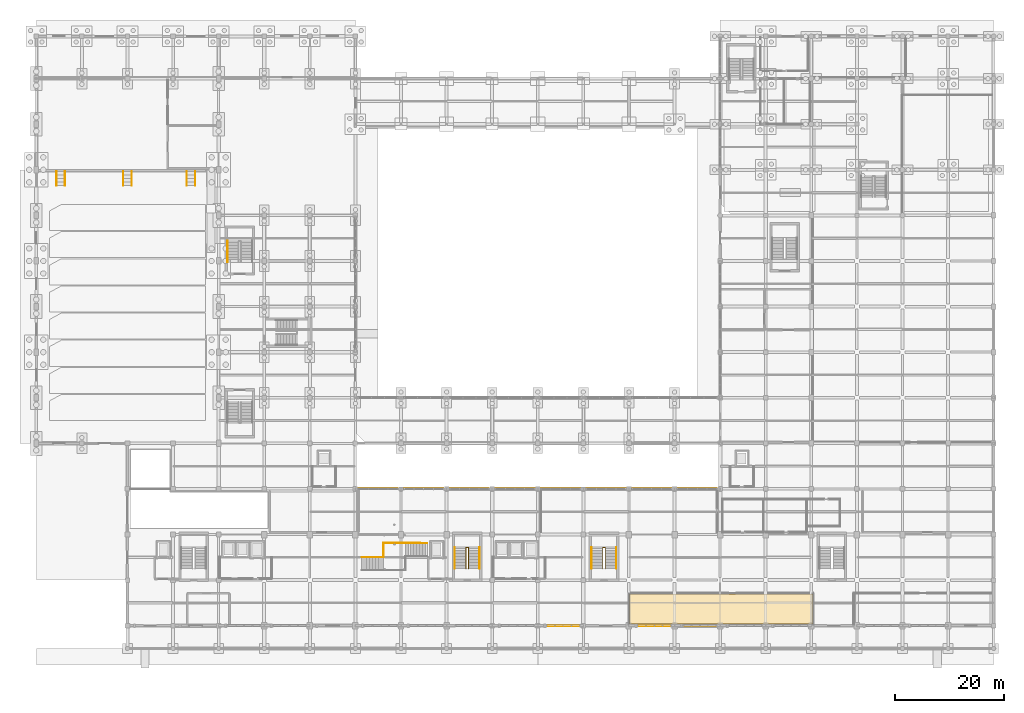
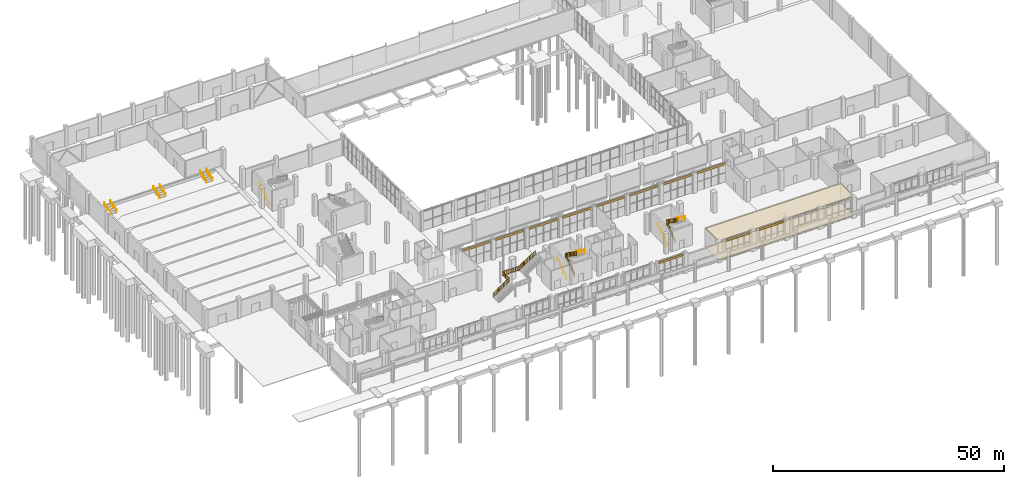
# One storey, part 79 of 82: 14 railings, 8 shading devices, 5 coverings.
"""IFC4 building model written with IfcOpenShell, lengths in metres."""

from ifc_helpers import new_model, si_unit, derived_unit, direction, frame, origin, origin_2d, place, context, subcontext, project, spatial, polyline, rectangle, circle, outline, extrude, material, layer, layer_set, type_object, element, save


model = new_model("IFC4")

# Units and contexts
model_context = context("Model", 3, precision=1e-05, world=origin(), true_north=direction((0.0, 1.0)))
body_context = subcontext(model_context, "Body", "Model", "MODEL_VIEW")
ifc_project = project(units=[si_unit("LENGTHUNIT", "METRE"), si_unit("AREAUNIT", "SQUARE_METRE"), si_unit("VOLUMEUNIT", "CUBIC_METRE"), si_unit("PLANEANGLEUNIT", "RADIAN"), si_unit("MASSUNIT", "GRAM", prefix="KILO"), derived_unit("THERMALTRANSMITTANCEUNIT", [(si_unit("POWERUNIT", "WATT"), 1), (si_unit("LENGTHUNIT", "METRE"), -2), (si_unit("THERMODYNAMICTEMPERATUREUNIT", "KELVIN"), -1)])], contexts=[model_context])

# Site, building, storey
site_placement = place(None, origin())
site = spatial("IfcSite", under=ifc_project, at=site_placement, CompositionType="ELEMENT")
building_placement = place(site_placement, origin())
building = spatial("IfcBuilding", under=site, at=building_placement, Name="Barrovel Congress Hotel", CompositionType="ELEMENT")
storey_placement = place(building_placement, origin())
storey = spatial("IfcBuildingStorey", under=building, at=storey_placement, Name="L00", CompositionType="ELEMENT", Elevation=0.0)

# Coverings
ifc_material_1 = material(Name="Perforated Timber Acoustic Ceiling", Category="wood")
ifc_layer_1 = layer(ifc_material_1, 0.030029296875)
ifc_layer_set_1 = layer_set([ifc_layer_1], Name="Perforated Timber Acoustic Ceiling")
covering_type_1 = type_object("IfcCoveringType", Name="COV-CEIL-ACU", PredefinedType="CEILING", material=ifc_layer_set_1)
covering_1_placement = place(storey_placement, frame((0.0, 0.0, 5.044921875)))
element("IfcCovering", 1, at=covering_1_placement, inside=storey, type_object=covering_type_1, Name="CEIL:02", PredefinedType="CEILING", context=body_context, shape_type="SweptSolid", body=[
    extrude(outline(polyline([(109.320068359375, 4.52001953125), (143.080078125, 4.52001953125), (143.080078125, 10.080078125), (109.320068359375, 10.080078125), (109.320068359375, 4.52001953125)])), origin(), (0.0, 0.0, 1.0), 0.030029296875),
])
ifc_material_2 = material(Name="Glazed Terracotta Spandrel", Category="masonry")
ifc_layer_2 = layer(ifc_material_2, 0.1201171875)
ifc_layer_set_2 = layer_set([ifc_layer_2], Name="Glazed Terracotta Spandrel")
covering_type_2 = type_object("IfcCoveringType", Name="COV-CLAD-TERRA", PredefinedType="CLADDING", material=ifc_layer_set_2)
for number, where, z_axis, x_axis, name in (
    (2, (97.080078125, 4.14990234375, 4.610107421875), (0.0, 0.0, 1.0), (1.0, 0.0, 0.0), "CLAD:L00:S:11"),
    (3, (113.8798828125, 4.14990234375, 4.610107421875), (0.0, 0.0, 1.0), (1.0, 0.0, 0.0), "CLAD:L00:S:13"),
    (4, (122.280029296875, 4.14990234375, 4.610107421875), (0.0, 0.0, 1.0), (1.0, 0.0, 0.0), "CLAD:L00:S:14"),
):
    element("IfcCovering", number, at=place(storey_placement, frame(where, z_axis=z_axis, x_axis=x_axis)), inside=storey, type_object=covering_type_2, Name=name, PredefinedType="CLADDING", context=body_context, shape_type="SweptSolid", body=[
        extrude(rectangle(XDim=6.1201171875, YDim=0.1201171875, at=origin_2d()), origin(), (0.0, 0.0, 1.0), 0.52001953125),
    ])
ifc_material_3 = material(Name="Polished Monterrey Limestone Terrazzo", Category="masonry")
ifc_layer_3 = layer(ifc_material_3, 0.030029296875)
ifc_layer_set_3 = layer_set([ifc_layer_3], Name="Polished Monterrey Limestone Terrazzo")
covering_type_3 = type_object("IfcCoveringType", Name="COV-FLOR-TRZ", PredefinedType="FLOORING", material=ifc_layer_set_3)
covering_2_placement = place(storey_placement, origin())
element("IfcCovering", 5, at=covering_2_placement, inside=storey, type_object=covering_type_3, Name="FLOR:02", PredefinedType="FLOORING", context=body_context, shape_type="SweptSolid", body=[
    extrude(outline(polyline([(109.320068359375, 4.52001953125), (143.080078125, 4.52001953125), (143.080078125, 10.080078125), (109.320068359375, 10.080078125), (109.320068359375, 4.52001953125)])), origin(), (0.0, 0.0, 1.0), 0.030029296875),
])

# Railings
ifc_material_4 = material(Name="Painted Architectural Steel", Category="steel")
ifc_layer_4 = layer(ifc_material_4, 0.070068359375)
ifc_layer_set_4 = layer_set([ifc_layer_4], Name="Painted Architectural Steel")
railing_type_1 = type_object("IfcRailingType", Name="RAIL-GUARD-INT", PredefinedType="BALUSTRADE", material=ifc_layer_set_4)
railing_1_placement = place(storey_placement, frame((79.159912109375, 14.739990234375, 0.0)))
element("IfcRailing", 6, at=railing_1_placement, inside=storey, type_object=railing_type_1, Name="STAIR:XS-02:L00:GR-W", PredefinedType="BALUSTRADE", context=body_context, shape_type="SweptSolid", body=[
    extrude(circle(Radius=0.02392578125, at=origin_2d()), frame((0.0, 0.0, 1.11572265625), z_axis=(0.0, 0.821504814544, 0.570201578111), x_axis=(-1.0, 0.0, 0.0)), (0.0, 0.0, 1.0), 4.735107421875),
    extrude(circle(Radius=0.02392578125, at=origin_2d()), frame((0.0, 0.0, 0.10009765625), z_axis=(0.0, 0.821504814544, 0.570201578111), x_axis=(-1.0, 0.0, 0.0)), (0.0, 0.0, 1.0), 4.735107421875),
    extrude(circle(Radius=0.010009765625, at=origin_2d()), frame((0.0, 0.353515625, 0.345458984375)), (0.0, 0.0, 1.0), 0.99169921875),
    extrude(circle(Radius=0.010009765625, at=origin_2d()), frame((0.0, 0.707275390625, 0.5908203125)), (0.0, 0.0, 1.0), 0.99169921875),
    extrude(circle(Radius=0.010009765625, at=origin_2d()), frame((0.0, 1.060791015625, 0.83642578125)), (0.0, 0.0, 1.0), 0.99169921875),
    extrude(circle(Radius=0.010009765625, at=origin_2d()), frame((0.0, 1.41455078125, 1.081787109375)), (0.0, 0.0, 1.0), 0.99169921875),
    extrude(circle(Radius=0.010009765625, at=origin_2d()), frame((0.0, 1.76806640625, 1.3271484375)), (0.0, 0.0, 1.0), 0.99169921875),
    extrude(circle(Radius=0.010009765625, at=origin_2d()), frame((0.0, 2.121826171875, 1.57275390625)), (0.0, 0.0, 1.0), 0.99169921875),
    extrude(circle(Radius=0.010009765625, at=origin_2d()), frame((0.0, 2.475341796875, 1.818115234375)), (0.0, 0.0, 1.0), 0.99169921875),
    extrude(circle(Radius=0.010009765625, at=origin_2d()), frame((0.0, 2.8291015625, 2.063720703125)), (0.0, 0.0, 1.0), 0.99169921875),
    extrude(circle(Radius=0.010009765625, at=origin_2d()), frame((0.0, 3.1826171875, 2.30908203125)), (0.0, 0.0, 1.0), 0.99169921875),
    extrude(circle(Radius=0.010009765625, at=origin_2d()), frame((0.0, 3.536376953125, 2.554443359375)), (0.0, 0.0, 1.0), 0.99169921875),
    extrude(circle(Radius=0.02392578125, at=origin_2d()), frame((0.0, 3.889892578125, 3.81591796875), z_axis=(1.0, 0.0, 0.0), x_axis=(0.0, 1.0, 0.0)), (0.0, 0.0, 1.0), 0.47998046875),
    extrude(circle(Radius=0.02392578125, at=origin_2d()), frame((0.0, 3.889892578125, 2.800048828125), z_axis=(1.0, 0.0, 0.0), x_axis=(0.0, 1.0, 0.0)), (0.0, 0.0, 1.0), 0.47998046875),
    extrude(circle(Radius=0.010009765625, at=origin_2d()), frame((0.239990234375, 3.889892578125, 2.800048828125)), (0.0, 0.0, 1.0), 0.99169921875),
    extrude(circle(Radius=0.02392578125, at=origin_2d()), frame((0.47998046875, 3.889892578125, 3.81591796875), z_axis=(0.0, -0.821504814544, 0.570201578111), x_axis=(1.0, 0.0, 0.0)), (0.0, 0.0, 1.0), 4.735107421875),
    extrude(circle(Radius=0.02392578125, at=origin_2d()), frame((0.47998046875, 3.889892578125, 2.800048828125), z_axis=(0.0, -0.821504814544, 0.570201578111), x_axis=(1.0, 0.0, 0.0)), (0.0, 0.0, 1.0), 4.735107421875),
    extrude(circle(Radius=0.010009765625, at=origin_2d()), frame((0.47998046875, 3.536376953125, 3.04541015625)), (0.0, 0.0, 1.0), 0.99169921875),
    extrude(circle(Radius=0.010009765625, at=origin_2d()), frame((0.47998046875, 3.1826171875, 3.290771484375)), (0.0, 0.0, 1.0), 0.99169921875),
    extrude(circle(Radius=0.010009765625, at=origin_2d()), frame((0.47998046875, 2.8291015625, 3.536376953125)), (0.0, 0.0, 1.0), 0.99169921875),
    extrude(circle(Radius=0.010009765625, at=origin_2d()), frame((0.47998046875, 2.475341796875, 3.78173828125)), (0.0, 0.0, 1.0), 0.99169921875),
    extrude(circle(Radius=0.010009765625, at=origin_2d()), frame((0.47998046875, 2.121826171875, 4.027099609375)), (0.0, 0.0, 1.0), 0.99169921875),
    extrude(circle(Radius=0.010009765625, at=origin_2d()), frame((0.47998046875, 1.76806640625, 4.272705078125)), (0.0, 0.0, 1.0), 0.99169921875),
    extrude(circle(Radius=0.010009765625, at=origin_2d()), frame((0.47998046875, 1.41455078125, 4.51806640625)), (0.0, 0.0, 1.0), 0.99169921875),
    extrude(circle(Radius=0.010009765625, at=origin_2d()), frame((0.47998046875, 1.060791015625, 4.763671875)), (0.0, 0.0, 1.0), 0.99169921875),
    extrude(circle(Radius=0.010009765625, at=origin_2d()), frame((0.47998046875, 0.707275390625, 5.009033203125)), (0.0, 0.0, 1.0), 0.99169921875),
    extrude(circle(Radius=0.010009765625, at=origin_2d()), frame((0.47998046875, 0.353515625, 5.25439453125)), (0.0, 0.0, 1.0), 0.99169921875),
    extrude(circle(Radius=0.02099609375, at=origin_2d()), origin(), (0.0, 0.0, 1.0), 1.091796875),
    extrude(circle(Radius=0.02099609375, at=origin_2d()), frame((0.0, 1.296630859375, 0.89990234375)), (0.0, 0.0, 1.0), 1.091796875),
    extrude(circle(Radius=0.02099609375, at=origin_2d()), frame((0.0, 2.59326171875, 1.800048828125)), (0.0, 0.0, 1.0), 1.091796875),
    extrude(circle(Radius=0.02099609375, at=origin_2d()), frame((0.0, 3.889892578125, 2.699951171875)), (0.0, 0.0, 1.0), 1.091796875),
    extrude(circle(Radius=0.02099609375, at=origin_2d()), frame((0.47998046875, 3.889892578125, 2.699951171875)), (0.0, 0.0, 1.0), 1.091796875),
    extrude(circle(Radius=0.02099609375, at=origin_2d()), frame((0.47998046875, 2.59326171875, 3.599853515625)), (0.0, 0.0, 1.0), 1.091796875),
    extrude(circle(Radius=0.02099609375, at=origin_2d()), frame((0.47998046875, 1.296630859375, 4.5)), (0.0, 0.0, 1.0), 1.091796875),
    extrude(circle(Radius=0.02099609375, at=origin_2d()), frame((0.47998046875, 0.0, 5.39990234375)), (0.0, 0.0, 1.0), 1.091796875),
])
railing_2_placement = place(storey_placement, frame((104.360107421875, 14.739990234375, 0.0)))
element("IfcRailing", 7, at=railing_2_placement, inside=storey, type_object=railing_type_1, Name="STAIR:XS-03:L00:GR-W", PredefinedType="BALUSTRADE", context=body_context, shape_type="SweptSolid", body=[
    extrude(circle(Radius=0.02392578125, at=origin_2d()), frame((0.0, 0.0, 1.11572265625), z_axis=(0.0, 0.821504814544, 0.570201578111), x_axis=(-1.0, 0.0, 0.0)), (0.0, 0.0, 1.0), 4.735107421875),
    extrude(circle(Radius=0.02392578125, at=origin_2d()), frame((0.0, 0.0, 0.10009765625), z_axis=(0.0, 0.821504814544, 0.570201578111), x_axis=(-1.0, 0.0, 0.0)), (0.0, 0.0, 1.0), 4.735107421875),
    extrude(circle(Radius=0.010009765625, at=origin_2d()), frame((0.0, 0.353515625, 0.345458984375)), (0.0, 0.0, 1.0), 0.99169921875),
    extrude(circle(Radius=0.010009765625, at=origin_2d()), frame((0.0, 0.707275390625, 0.5908203125)), (0.0, 0.0, 1.0), 0.99169921875),
    extrude(circle(Radius=0.010009765625, at=origin_2d()), frame((0.0, 1.060791015625, 0.83642578125)), (0.0, 0.0, 1.0), 0.99169921875),
    extrude(circle(Radius=0.010009765625, at=origin_2d()), frame((0.0, 1.41455078125, 1.081787109375)), (0.0, 0.0, 1.0), 0.99169921875),
    extrude(circle(Radius=0.010009765625, at=origin_2d()), frame((0.0, 1.76806640625, 1.3271484375)), (0.0, 0.0, 1.0), 0.99169921875),
    extrude(circle(Radius=0.010009765625, at=origin_2d()), frame((0.0, 2.121826171875, 1.57275390625)), (0.0, 0.0, 1.0), 0.99169921875),
    extrude(circle(Radius=0.010009765625, at=origin_2d()), frame((0.0, 2.475341796875, 1.818115234375)), (0.0, 0.0, 1.0), 0.99169921875),
    extrude(circle(Radius=0.010009765625, at=origin_2d()), frame((0.0, 2.8291015625, 2.063720703125)), (0.0, 0.0, 1.0), 0.99169921875),
    extrude(circle(Radius=0.010009765625, at=origin_2d()), frame((0.0, 3.1826171875, 2.30908203125)), (0.0, 0.0, 1.0), 0.99169921875),
    extrude(circle(Radius=0.010009765625, at=origin_2d()), frame((0.0, 3.536376953125, 2.554443359375)), (0.0, 0.0, 1.0), 0.99169921875),
    extrude(circle(Radius=0.02392578125, at=origin_2d()), frame((0.0, 3.889892578125, 3.81591796875), z_axis=(1.0, 0.0, 0.0), x_axis=(0.0, 1.0, 0.0)), (0.0, 0.0, 1.0), 0.47998046875),
    extrude(circle(Radius=0.02392578125, at=origin_2d()), frame((0.0, 3.889892578125, 2.800048828125), z_axis=(1.0, 0.0, 0.0), x_axis=(0.0, 1.0, 0.0)), (0.0, 0.0, 1.0), 0.47998046875),
    extrude(circle(Radius=0.010009765625, at=origin_2d()), frame((0.239990234375, 3.889892578125, 2.800048828125)), (0.0, 0.0, 1.0), 0.99169921875),
    extrude(circle(Radius=0.02392578125, at=origin_2d()), frame((0.47998046875, 3.889892578125, 3.81591796875), z_axis=(0.0, -0.821504814544, 0.570201578111), x_axis=(1.0, 0.0, 0.0)), (0.0, 0.0, 1.0), 4.735107421875),
    extrude(circle(Radius=0.02392578125, at=origin_2d()), frame((0.47998046875, 3.889892578125, 2.800048828125), z_axis=(0.0, -0.821504814544, 0.570201578111), x_axis=(1.0, 0.0, 0.0)), (0.0, 0.0, 1.0), 4.735107421875),
    extrude(circle(Radius=0.010009765625, at=origin_2d()), frame((0.47998046875, 3.536376953125, 3.04541015625)), (0.0, 0.0, 1.0), 0.99169921875),
    extrude(circle(Radius=0.010009765625, at=origin_2d()), frame((0.47998046875, 3.1826171875, 3.290771484375)), (0.0, 0.0, 1.0), 0.99169921875),
    extrude(circle(Radius=0.010009765625, at=origin_2d()), frame((0.47998046875, 2.8291015625, 3.536376953125)), (0.0, 0.0, 1.0), 0.99169921875),
    extrude(circle(Radius=0.010009765625, at=origin_2d()), frame((0.47998046875, 2.475341796875, 3.78173828125)), (0.0, 0.0, 1.0), 0.99169921875),
    extrude(circle(Radius=0.010009765625, at=origin_2d()), frame((0.47998046875, 2.121826171875, 4.027099609375)), (0.0, 0.0, 1.0), 0.99169921875),
    extrude(circle(Radius=0.010009765625, at=origin_2d()), frame((0.47998046875, 1.76806640625, 4.272705078125)), (0.0, 0.0, 1.0), 0.99169921875),
    extrude(circle(Radius=0.010009765625, at=origin_2d()), frame((0.47998046875, 1.41455078125, 4.51806640625)), (0.0, 0.0, 1.0), 0.99169921875),
    extrude(circle(Radius=0.010009765625, at=origin_2d()), frame((0.47998046875, 1.060791015625, 4.763671875)), (0.0, 0.0, 1.0), 0.99169921875),
    extrude(circle(Radius=0.010009765625, at=origin_2d()), frame((0.47998046875, 0.707275390625, 5.009033203125)), (0.0, 0.0, 1.0), 0.99169921875),
    extrude(circle(Radius=0.010009765625, at=origin_2d()), frame((0.47998046875, 0.353515625, 5.25439453125)), (0.0, 0.0, 1.0), 0.99169921875),
    extrude(circle(Radius=0.02099609375, at=origin_2d()), origin(), (0.0, 0.0, 1.0), 1.091796875),
    extrude(circle(Radius=0.02099609375, at=origin_2d()), frame((0.0, 1.296630859375, 0.89990234375)), (0.0, 0.0, 1.0), 1.091796875),
    extrude(circle(Radius=0.02099609375, at=origin_2d()), frame((0.0, 2.59326171875, 1.800048828125)), (0.0, 0.0, 1.0), 1.091796875),
    extrude(circle(Radius=0.02099609375, at=origin_2d()), frame((0.0, 3.889892578125, 2.699951171875)), (0.0, 0.0, 1.0), 1.091796875),
    extrude(circle(Radius=0.02099609375, at=origin_2d()), frame((0.47998046875, 3.889892578125, 2.699951171875)), (0.0, 0.0, 1.0), 1.091796875),
    extrude(circle(Radius=0.02099609375, at=origin_2d()), frame((0.47998046875, 2.59326171875, 3.599853515625)), (0.0, 0.0, 1.0), 1.091796875),
    extrude(circle(Radius=0.02099609375, at=origin_2d()), frame((0.47998046875, 1.296630859375, 4.5)), (0.0, 0.0, 1.0), 1.091796875),
    extrude(circle(Radius=0.02099609375, at=origin_2d()), frame((0.47998046875, 0.0, 5.39990234375)), (0.0, 0.0, 1.0), 1.091796875),
])
railing_3_placement = place(storey_placement, frame((60.0, 16.800048828125, 0.0)))
element("IfcRailing", 8, at=railing_3_placement, inside=storey, type_object=railing_type_1, Name="STAIR:ATR-L00:GR2", PredefinedType="BALUSTRADE", context=body_context, shape_type="SweptSolid", body=[
    extrude(circle(Radius=0.02392578125, at=origin_2d()), frame((0.0, 0.0, 1.11572265625), z_axis=(0.828202472812, 0.0, 0.560428999989), x_axis=(0.0, 1.0, 0.0)), (0.0, 0.0, 1.0), 4.817626953125),
    extrude(circle(Radius=0.02392578125, at=origin_2d()), frame((0.0, 0.0, 0.10009765625), z_axis=(0.828202472812, 0.0, 0.560428999989), x_axis=(0.0, 1.0, 0.0)), (0.0, 0.0, 1.0), 4.817626953125),
    extrude(circle(Radius=0.010009765625, at=origin_2d()), frame((0.36279296875, 0.0, 0.345458984375)), (0.0, 0.0, 1.0), 0.99169921875),
    extrude(circle(Radius=0.010009765625, at=origin_2d()), frame((0.725341796875, 0.0, 0.5908203125)), (0.0, 0.0, 1.0), 0.99169921875),
    extrude(circle(Radius=0.010009765625, at=origin_2d()), frame((1.088134765625, 0.0, 0.83642578125)), (0.0, 0.0, 1.0), 0.99169921875),
    extrude(circle(Radius=0.010009765625, at=origin_2d()), frame((1.450927734375, 0.0, 1.081787109375)), (0.0, 0.0, 1.0), 0.99169921875),
    extrude(circle(Radius=0.010009765625, at=origin_2d()), frame((1.813720703125, 0.0, 1.3271484375)), (0.0, 0.0, 1.0), 0.99169921875),
    extrude(circle(Radius=0.010009765625, at=origin_2d()), frame((2.17626953125, 0.0, 1.57275390625)), (0.0, 0.0, 1.0), 0.99169921875),
    extrude(circle(Radius=0.010009765625, at=origin_2d()), frame((2.5390625, 0.0, 1.818115234375)), (0.0, 0.0, 1.0), 0.99169921875),
    extrude(circle(Radius=0.010009765625, at=origin_2d()), frame((2.90185546875, 0.0, 2.063720703125)), (0.0, 0.0, 1.0), 0.99169921875),
    extrude(circle(Radius=0.010009765625, at=origin_2d()), frame((3.2646484375, 0.0, 2.30908203125)), (0.0, 0.0, 1.0), 0.99169921875),
    extrude(circle(Radius=0.010009765625, at=origin_2d()), frame((3.627197265625, 0.0, 2.554443359375)), (0.0, 0.0, 1.0), 0.99169921875),
    extrude(circle(Radius=0.02392578125, at=origin_2d()), frame((3.989990234375, 0.0, 3.81591796875), z_axis=(0.0, 1.0, 0.0), x_axis=(-1.0, 0.0, 0.0)), (0.0, 0.0, 1.0), 2.64990234375),
    extrude(circle(Radius=0.02392578125, at=origin_2d()), frame((3.989990234375, 0.0, 2.800048828125), z_axis=(0.0, 1.0, 0.0), x_axis=(-1.0, 0.0, 0.0)), (0.0, 0.0, 1.0), 2.64990234375),
    extrude(circle(Radius=0.010009765625, at=origin_2d()), frame((3.989990234375, 0.441650390625, 2.800048828125)), (0.0, 0.0, 1.0), 0.99169921875),
    extrude(circle(Radius=0.010009765625, at=origin_2d()), frame((3.989990234375, 0.88330078125, 2.800048828125)), (0.0, 0.0, 1.0), 0.99169921875),
    extrude(circle(Radius=0.010009765625, at=origin_2d()), frame((3.989990234375, 1.324951171875, 2.800048828125)), (0.0, 0.0, 1.0), 0.99169921875),
    extrude(circle(Radius=0.010009765625, at=origin_2d()), frame((3.989990234375, 1.7666015625, 2.800048828125)), (0.0, 0.0, 1.0), 0.99169921875),
    extrude(circle(Radius=0.010009765625, at=origin_2d()), frame((3.989990234375, 2.208251953125, 2.800048828125)), (0.0, 0.0, 1.0), 0.99169921875),
    extrude(circle(Radius=0.02392578125, at=origin_2d()), frame((3.989990234375, 2.64990234375, 3.81591796875), z_axis=(1.0, 0.0, 0.0), x_axis=(0.0, 1.0, 0.0)), (0.0, 0.0, 1.0), 4.02001953125),
    extrude(circle(Radius=0.02392578125, at=origin_2d()), frame((3.989990234375, 2.64990234375, 2.800048828125), z_axis=(1.0, 0.0, 0.0), x_axis=(0.0, 1.0, 0.0)), (0.0, 0.0, 1.0), 4.02001953125),
    extrude(circle(Radius=0.010009765625, at=origin_2d()), frame((4.436767578125, 2.64990234375, 2.800048828125)), (0.0, 0.0, 1.0), 0.99169921875),
    extrude(circle(Radius=0.010009765625, at=origin_2d()), frame((4.88330078125, 2.64990234375, 2.800048828125)), (0.0, 0.0, 1.0), 0.99169921875),
    extrude(circle(Radius=0.010009765625, at=origin_2d()), frame((5.330078125, 2.64990234375, 2.800048828125)), (0.0, 0.0, 1.0), 0.99169921875),
    extrude(circle(Radius=0.010009765625, at=origin_2d()), frame((5.776611328125, 2.64990234375, 2.800048828125)), (0.0, 0.0, 1.0), 0.99169921875),
    extrude(circle(Radius=0.010009765625, at=origin_2d()), frame((6.223388671875, 2.64990234375, 2.800048828125)), (0.0, 0.0, 1.0), 0.99169921875),
    extrude(circle(Radius=0.010009765625, at=origin_2d()), frame((6.669921875, 2.64990234375, 2.800048828125)), (0.0, 0.0, 1.0), 0.99169921875),
    extrude(circle(Radius=0.010009765625, at=origin_2d()), frame((7.11669921875, 2.64990234375, 2.800048828125)), (0.0, 0.0, 1.0), 0.99169921875),
    extrude(circle(Radius=0.010009765625, at=origin_2d()), frame((7.563232421875, 2.64990234375, 2.800048828125)), (0.0, 0.0, 1.0), 0.99169921875),
    extrude(circle(Radius=0.02392578125, at=origin_2d()), frame((8.010009765625, 2.64990234375, 3.81591796875), z_axis=(0.828157785052, -0.010388077216, 0.560398760625), x_axis=(0.012542609947, 0.999921338374, 0.0)), (0.0, 0.0, 1.0), 4.81787109375),
    extrude(circle(Radius=0.02392578125, at=origin_2d()), frame((8.010009765625, 2.64990234375, 2.800048828125), z_axis=(0.828157785052, -0.010388077216, 0.560398760625), x_axis=(0.012542609947, 0.999921338374, 0.0)), (0.0, 0.0, 1.0), 4.81787109375),
    extrude(circle(Radius=0.010009765625, at=origin_2d()), frame((8.372802734375, 2.645263671875, 3.04541015625)), (0.0, 0.0, 1.0), 0.99169921875),
    extrude(circle(Radius=0.010009765625, at=origin_2d()), frame((8.7353515625, 2.640869140625, 3.290771484375)), (0.0, 0.0, 1.0), 0.99169921875),
    extrude(circle(Radius=0.010009765625, at=origin_2d()), frame((9.09814453125, 2.63623046875, 3.536376953125)), (0.0, 0.0, 1.0), 0.99169921875),
    extrude(circle(Radius=0.010009765625, at=origin_2d()), frame((9.4609375, 2.631591796875, 3.78173828125)), (0.0, 0.0, 1.0), 0.99169921875),
    extrude(circle(Radius=0.010009765625, at=origin_2d()), frame((9.82373046875, 2.627197265625, 4.027099609375)), (0.0, 0.0, 1.0), 0.99169921875),
    extrude(circle(Radius=0.010009765625, at=origin_2d()), frame((10.186279296875, 2.62255859375, 4.272705078125)), (0.0, 0.0, 1.0), 0.99169921875),
    extrude(circle(Radius=0.010009765625, at=origin_2d()), frame((10.549072265625, 2.6181640625, 4.51806640625)), (0.0, 0.0, 1.0), 0.99169921875),
    extrude(circle(Radius=0.010009765625, at=origin_2d()), frame((10.911865234375, 2.613525390625, 4.763671875)), (0.0, 0.0, 1.0), 0.99169921875),
    extrude(circle(Radius=0.010009765625, at=origin_2d()), frame((11.274658203125, 2.60888671875, 5.009033203125)), (0.0, 0.0, 1.0), 0.99169921875),
    extrude(circle(Radius=0.010009765625, at=origin_2d()), frame((11.63720703125, 2.6044921875, 5.25439453125)), (0.0, 0.0, 1.0), 0.99169921875),
    extrude(circle(Radius=0.02099609375, at=origin_2d()), origin(), (0.0, 0.0, 1.0), 1.091796875),
    extrude(circle(Radius=0.02099609375, at=origin_2d()), frame((1.330078125, 0.0, 0.89990234375)), (0.0, 0.0, 1.0), 1.091796875),
    extrude(circle(Radius=0.02099609375, at=origin_2d()), frame((2.659912109375, 0.0, 1.800048828125)), (0.0, 0.0, 1.0), 1.091796875),
    extrude(circle(Radius=0.02099609375, at=origin_2d()), frame((3.989990234375, 0.0, 2.699951171875)), (0.0, 0.0, 1.0), 1.091796875),
    extrude(circle(Radius=0.02099609375, at=origin_2d()), frame((3.989990234375, 1.324951171875, 2.699951171875)), (0.0, 0.0, 1.0), 1.091796875),
    extrude(circle(Radius=0.02099609375, at=origin_2d()), frame((3.989990234375, 2.64990234375, 2.699951171875)), (0.0, 0.0, 1.0), 1.091796875),
    extrude(circle(Radius=0.02099609375, at=origin_2d()), frame((5.330078125, 2.64990234375, 2.699951171875)), (0.0, 0.0, 1.0), 1.091796875),
    extrude(circle(Radius=0.02099609375, at=origin_2d()), frame((6.669921875, 2.64990234375, 2.699951171875)), (0.0, 0.0, 1.0), 1.091796875),
    extrude(circle(Radius=0.02099609375, at=origin_2d()), frame((8.010009765625, 2.64990234375, 2.699951171875)), (0.0, 0.0, 1.0), 1.091796875),
    extrude(circle(Radius=0.02099609375, at=origin_2d()), frame((9.340087890625, 2.63330078125, 3.599853515625)), (0.0, 0.0, 1.0), 1.091796875),
    extrude(circle(Radius=0.02099609375, at=origin_2d()), frame((10.669921875, 2.616455078125, 4.5)), (0.0, 0.0, 1.0), 1.091796875),
    extrude(circle(Radius=0.02099609375, at=origin_2d()), frame((12.0, 2.599853515625, 5.39990234375)), (0.0, 0.0, 1.0), 1.091796875),
])
ifc_material_5 = material(Name="Brushed Stainless Steel", Category="steel")
ifc_layer_5 = layer(ifc_material_5, 0.050048828125)
ifc_layer_set_5 = layer_set([ifc_layer_5], Name="Brushed Stainless Steel")
railing_type_2 = type_object("IfcRailingType", Name="RAIL-HAND", PredefinedType="HANDRAIL", material=ifc_layer_set_5)
railing_4_placement = place(storey_placement, frame((77.1201171875, 14.739990234375, 0.0)))
element("IfcRailing", 9, at=railing_4_placement, inside=storey, type_object=railing_type_2, Name="STAIR:XS-02:L00:HR-1", PredefinedType="HANDRAIL", context=body_context, shape_type="SweptSolid", body=[
    extrude(circle(Radius=0.02392578125, at=origin_2d()), frame((0.0, 0.0, 0.89599609375), z_axis=(0.0, 0.821504814544, 0.570201578111), x_axis=(-1.0, 0.0, 0.0)), (0.0, 0.0, 1.0), 4.735107421875),
    extrude(circle(Radius=0.02099609375, at=origin_2d()), origin(), (0.0, 0.0, 1.0), 0.871826171875),
    extrude(circle(Radius=0.02099609375, at=origin_2d()), frame((0.0, 1.296630859375, 0.89990234375)), (0.0, 0.0, 1.0), 0.871826171875),
    extrude(circle(Radius=0.02099609375, at=origin_2d()), frame((0.0, 2.59326171875, 1.800048828125)), (0.0, 0.0, 1.0), 0.871826171875),
    extrude(circle(Radius=0.02099609375, at=origin_2d()), frame((0.0, 3.889892578125, 2.699951171875)), (0.0, 0.0, 1.0), 0.871826171875),
])
railing_5_placement = place(storey_placement, frame((81.679931640625, 18.6298828125, 2.699951171875)))
element("IfcRailing", 10, at=railing_5_placement, inside=storey, type_object=railing_type_2, Name="STAIR:XS-02:L00:HR-2", PredefinedType="HANDRAIL", context=body_context, shape_type="SweptSolid", body=[
    extrude(circle(Radius=0.02392578125, at=origin_2d()), frame((0.0, 0.0, 0.89599609375), z_axis=(0.0, -0.821504814544, 0.570201578111), x_axis=(1.0, 0.0, 0.0)), (0.0, 0.0, 1.0), 4.735107421875),
    extrude(circle(Radius=0.02099609375, at=origin_2d()), origin(), (0.0, 0.0, 1.0), 0.871826171875),
    extrude(circle(Radius=0.02099609375, at=origin_2d()), frame((0.0, -1.296630859375, 0.89990234375)), (0.0, 0.0, 1.0), 0.871826171875),
    extrude(circle(Radius=0.02099609375, at=origin_2d()), frame((0.0, -2.59326171875, 1.800048828125)), (0.0, 0.0, 1.0), 0.871826171875),
    extrude(circle(Radius=0.02099609375, at=origin_2d()), frame((0.0, -3.889892578125, 2.699951171875)), (0.0, 0.0, 1.0), 0.871826171875),
])
railing_6_placement = place(storey_placement, frame((102.320068359375, 14.739990234375, 0.0)))
element("IfcRailing", 11, at=railing_6_placement, inside=storey, type_object=railing_type_2, Name="STAIR:XS-03:L00:HR-1", PredefinedType="HANDRAIL", context=body_context, shape_type="SweptSolid", body=[
    extrude(circle(Radius=0.02392578125, at=origin_2d()), frame((0.0, 0.0, 0.89599609375), z_axis=(0.0, 0.821504814544, 0.570201578111), x_axis=(-1.0, 0.0, 0.0)), (0.0, 0.0, 1.0), 4.735107421875),
    extrude(circle(Radius=0.02099609375, at=origin_2d()), origin(), (0.0, 0.0, 1.0), 0.871826171875),
    extrude(circle(Radius=0.02099609375, at=origin_2d()), frame((0.0, 1.296630859375, 0.89990234375)), (0.0, 0.0, 1.0), 0.871826171875),
    extrude(circle(Radius=0.02099609375, at=origin_2d()), frame((0.0, 2.59326171875, 1.800048828125)), (0.0, 0.0, 1.0), 0.871826171875),
    extrude(circle(Radius=0.02099609375, at=origin_2d()), frame((0.0, 3.889892578125, 2.699951171875)), (0.0, 0.0, 1.0), 0.871826171875),
])
railing_7_placement = place(storey_placement, frame((106.8798828125, 18.6298828125, 2.699951171875)))
element("IfcRailing", 12, at=railing_7_placement, inside=storey, type_object=railing_type_2, Name="STAIR:XS-03:L00:HR-2", PredefinedType="HANDRAIL", context=body_context, shape_type="SweptSolid", body=[
    extrude(circle(Radius=0.02392578125, at=origin_2d()), frame((0.0, 0.0, 0.89599609375), z_axis=(0.0, -0.821504814544, 0.570201578111), x_axis=(1.0, 0.0, 0.0)), (0.0, 0.0, 1.0), 4.735107421875),
    extrude(circle(Radius=0.02099609375, at=origin_2d()), origin(), (0.0, 0.0, 1.0), 0.871826171875),
    extrude(circle(Radius=0.02099609375, at=origin_2d()), frame((0.0, -1.296630859375, 0.89990234375)), (0.0, 0.0, 1.0), 0.871826171875),
    extrude(circle(Radius=0.02099609375, at=origin_2d()), frame((0.0, -2.59326171875, 1.800048828125)), (0.0, 0.0, 1.0), 0.871826171875),
    extrude(circle(Radius=0.02099609375, at=origin_2d()), frame((0.0, -3.889892578125, 2.699951171875)), (0.0, 0.0, 1.0), 0.871826171875),
])
railing_8_placement = place(storey_placement, frame((35.219970703125, 71.179931640625, 0.0)))
element("IfcRailing", 13, at=railing_8_placement, inside=storey, type_object=railing_type_2, Name="STAIR:XS-07:L00:HR-1", PredefinedType="HANDRAIL", context=body_context, shape_type="SweptSolid", body=[
    extrude(circle(Radius=0.02392578125, at=origin_2d()), frame((0.0, 0.0, 0.89599609375), z_axis=(0.0, 0.82152157716, 0.570177427), x_axis=(-1.0, 0.0, 0.0)), (0.0, 0.0, 1.0), 4.7353515625),
    extrude(circle(Radius=0.02099609375, at=origin_2d()), origin(), (0.0, 0.0, 1.0), 0.871826171875),
    extrude(circle(Radius=0.02099609375, at=origin_2d()), frame((0.0, 1.296630859375, 0.89990234375)), (0.0, 0.0, 1.0), 0.871826171875),
    extrude(circle(Radius=0.02099609375, at=origin_2d()), frame((0.0, 2.593505859375, 1.800048828125)), (0.0, 0.0, 1.0), 0.871826171875),
    extrude(circle(Radius=0.02099609375, at=origin_2d()), frame((0.0, 3.89013671875, 2.699951171875)), (0.0, 0.0, 1.0), 0.871826171875),
])
for number, where, name in (
    (14, (3.719970703125, 85.300048828125, 0.0), "STAIR:STG-1:HR-L"),
    (15, (5.280029296875, 85.300048828125, 0.0), "STAIR:STG-1:HR-R"),
    (16, (16.02001953125, 85.300048828125, 0.0), "STAIR:STG-2:HR-L"),
    (17, (17.580078125, 85.300048828125, 0.0), "STAIR:STG-2:HR-R"),
    (18, (27.719970703125, 85.300048828125, 0.0), "STAIR:STG-3:HR-L"),
    (19, (29.280029296875, 85.300048828125, 0.0), "STAIR:STG-3:HR-R"),
):
    element("IfcRailing", number, at=place(storey_placement, frame(where)), inside=storey, type_object=railing_type_2, Name=name, PredefinedType="HANDRAIL", context=body_context, shape_type="SweptSolid", body=[
        extrude(circle(Radius=0.02392578125, at=origin_2d()), frame((0.0, 0.0, 0.89599609375), z_axis=(0.0, 0.95576930528, 0.294117383172), x_axis=(-1.0, 0.0, 0.0)), (0.0, 0.0, 1.0), 2.72021484375),
        extrude(circle(Radius=0.02099609375, at=origin_2d()), origin(), (0.0, 0.0, 1.0), 0.871826171875),
        extrude(circle(Radius=0.02099609375, at=origin_2d()), frame((0.0, 1.2998046875, 0.39990234375)), (0.0, 0.0, 1.0), 0.871826171875),
        extrude(circle(Radius=0.02099609375, at=origin_2d()), frame((0.0, 2.599853515625, 0.800048828125)), (0.0, 0.0, 1.0), 0.871826171875),
    ])

# Shading devices
ifc_material_6 = material(Name="Extruded Terracotta Louvres", Category="masonry")
shading_device_type = type_object("IfcShadingDeviceType", Name="SHD-CELOSIA", PredefinedType="JALOUSIE", material=ifc_material_6)
for number, where, z_axis, x_axis, name in (
    (20, (121.800048828125, 29.4599609375, 4.56494140625), (0.0, 0.0, 1.0), (1.0, 0.0, 0.0), "CEL:L00:CS:14"),
    (21, (113.39990234375, 29.4599609375, 4.56494140625), (0.0, 0.0, 1.0), (1.0, 0.0, 0.0), "CEL:L00:CS:13"),
    (22, (105.0, 29.4599609375, 4.56494140625), (0.0, 0.0, 1.0), (1.0, 0.0, 0.0), "CEL:L00:CS:12"),
    (23, (96.60009765625, 29.4599609375, 4.56494140625), (0.0, 0.0, 1.0), (1.0, 0.0, 0.0), "CEL:L00:CS:11"),
    (24, (88.199951171875, 29.4599609375, 4.56494140625), (0.0, 0.0, 1.0), (1.0, 0.0, 0.0), "CEL:L00:CS:10"),
    (25, (79.800048828125, 29.4599609375, 4.56494140625), (0.0, 0.0, 1.0), (1.0, 0.0, 0.0), "CEL:L00:CS:09"),
    (26, (71.39990234375, 29.4599609375, 4.56494140625), (0.0, 0.0, 1.0), (1.0, 0.0, 0.0), "CEL:L00:CS:08"),
    (27, (63.0, 29.4599609375, 4.56494140625), (0.0, 0.0, 1.0), (1.0, 0.0, 0.0), "CEL:L00:CS:07"),
):
    element("IfcShadingDevice", number, at=place(storey_placement, frame(where, z_axis=z_axis, x_axis=x_axis)), inside=storey, type_object=shading_device_type, Name=name, PredefinedType="JALOUSIE", context=body_context, shape_type="SweptSolid", body=[
        extrude(rectangle(XDim=7.199951171875, YDim=0.179931640625, at=origin_2d()), origin(), (0.0, 0.0, 1.0), 0.550048828125),
    ])

save(model, "model.ifc")
